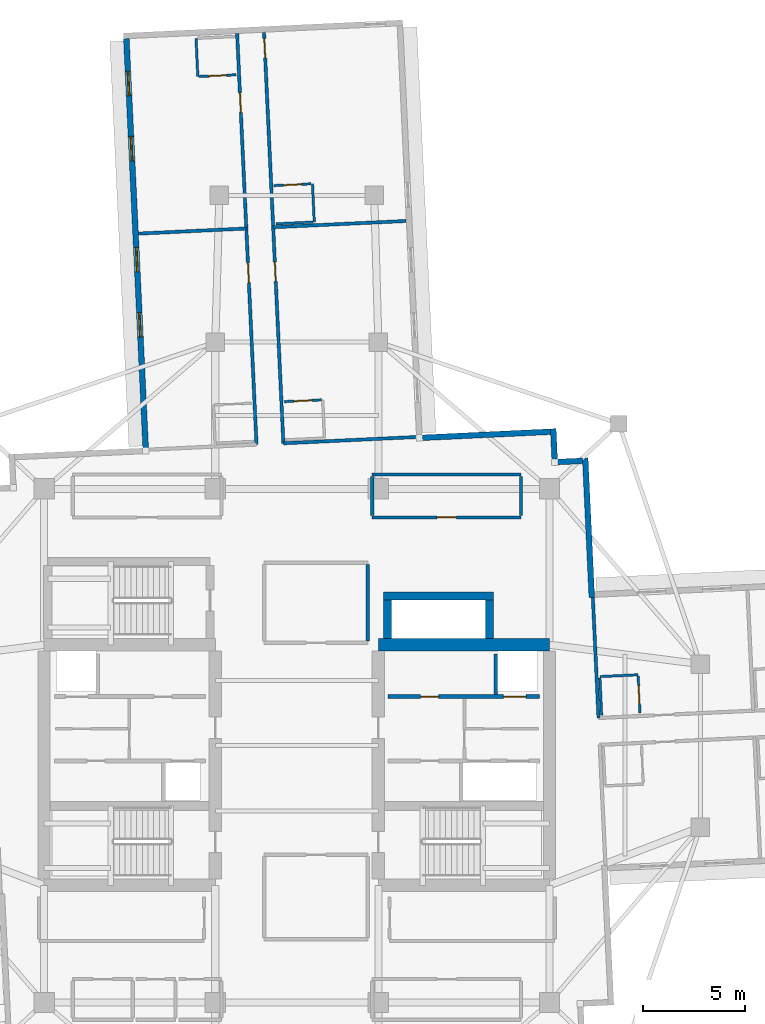
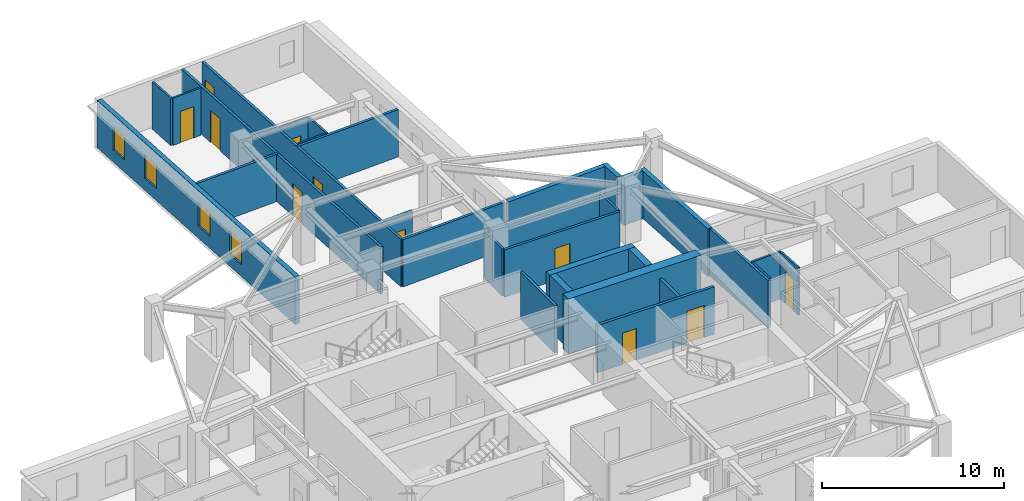
# One storey, part 7 of 12: 31 walls, 11 doors, 4 windows, 15 openings.
"""IFC4 building model written with IfcOpenShell, lengths in metres."""

from ifc_helpers import new_model, si_unit, direction, frame, frame_2d, origin, place, context, subcontext, project, spatial, rectangle, extrude, material, layer, layer_set, type_object, element, fill, save


model = new_model("IFC4")

# Units and contexts
model_context = context("Model", 3, precision=1e-05, world=origin(), true_north=direction((0.0, 1.0)))
body_context = subcontext(model_context, "Body", "Model", "MODEL_VIEW")
ifc_project = project(units=[si_unit("LENGTHUNIT", "METRE"), si_unit("AREAUNIT", "SQUARE_METRE"), si_unit("VOLUMEUNIT", "CUBIC_METRE"), si_unit("PLANEANGLEUNIT", "RADIAN"), si_unit("MASSUNIT", "GRAM", prefix="KILO")], contexts=[model_context])

# Site, building, storey
site_placement = place(None, origin())
site = spatial("IfcSite", under=ifc_project, at=site_placement, CompositionType="ELEMENT")
building_placement = place(site_placement, origin())
building = spatial("IfcBuilding", under=site, at=building_placement, Name="Qingluan Cross Belvedere", CompositionType="ELEMENT")
storey_placement = place(building_placement, frame((0.0, 0.0, 213.0)))
storey = spatial("IfcBuildingStorey", under=building, at=storey_placement, Name="L53", CompositionType="ELEMENT", Elevation=213.0)

# Walls
ifc_material_1 = material(Name="Concrete C50", Category="concrete")
ifc_layer_1 = layer(ifc_material_1, 0.449951171875, Name="CoreShearWall_450")
ifc_layer_set_1 = layer_set([ifc_layer_1], Name="Concrete C50")
wall_type_1 = type_object("IfcWallType", Name="CoreShearWall_450", PredefinedType="SHEAR", material=ifc_layer_set_1)
wall_1_placement = place(storey_placement, frame((4.449951171875, 5.2548828125, 0.0), z_axis=(0.0, 0.0, 1.0), x_axis=(0.0, 1.0, 0.0)))
element("IfcWall", 1, at=wall_1_placement, inside=storey, type_object=wall_type_1, Name="Express shuttle core wall L53-W", PredefinedType="SHEAR", context=body_context, shape_type="SweptSolid", body=[
    extrude(rectangle(XDim=1.885009765625, YDim=0.39990234375, at=frame_2d((0.9423828125, 0.0))), origin(), (0.0, 0.0, 1.0), 3.699951171875),
])
wall_2_placement = place(storey_placement, frame((4.25, 7.35009765625, 0.0), z_axis=(0.0, 0.0, 1.0), x_axis=(1.0, 0.0, 0.0)))
element("IfcWall", 2, at=wall_2_placement, inside=storey, type_object=wall_type_1, Name="Express shuttle core wall L53-N", PredefinedType="SHEAR", context=body_context, shape_type="SweptSolid", body=[
    extrude(rectangle(XDim=5.39990234375, YDim=0.39990234375, at=frame_2d((2.699951171875, 0.0))), origin(), (0.0, 0.0, 1.0), 3.699951171875),
])
wall_3_placement = place(storey_placement, frame((9.449951171875, 5.2548828125, 0.0), z_axis=(0.0, 0.0, 1.0), x_axis=(0.0, 1.0, 0.0)))
element("IfcWall", 3, at=wall_3_placement, inside=storey, type_object=wall_type_1, Name="Express shuttle core wall L53-E", PredefinedType="SHEAR", context=body_context, shape_type="SweptSolid", body=[
    extrude(rectangle(XDim=1.885009765625, YDim=0.39990234375, at=frame_2d((0.9423828125, 0.0))), origin(), (0.0, 0.0, 1.0), 3.699951171875),
])
ifc_material_2 = material(Name="Concrete C60", Category="concrete")
ifc_layer_2 = layer(ifc_material_2, 0.60009765625, Name="CoreShearWall_600")
ifc_layer_set_2 = layer_set([ifc_layer_2], Name="Concrete C60")
wall_type_2 = type_object("IfcWallType", Name="CoreShearWall_600", PredefinedType="SHEAR", material=ifc_layer_set_2)
wall_4_placement = place(storey_placement, frame((4.0, 4.949951171875, 0.0), z_axis=(0.0, 0.0, 1.0), x_axis=(1.0, 0.0, 0.0)))
element("IfcWall", 4, at=wall_4_placement, inside=storey, type_object=wall_type_2, Name="Split core E shear wall L53-N", PredefinedType="SHEAR", context=body_context, shape_type="SweptSolid", body=[
    extrude(rectangle(XDim=8.39990234375, YDim=0.60009765625, at=frame_2d((4.199951171875, 0.0))), origin(), (0.0, 0.0, 1.0), 3.699951171875),
])

# Wall, opening, door
ifc_material_3 = material(Name="Gypsum plasterboard on steel stud acoustic partition", Category="steel")
ifc_layer_3 = layer(ifc_material_3, 0.159912109375, Name="CorridorPartition_160")
ifc_layer_set_3 = layer_set([ifc_layer_3], Name="Gypsum plasterboard on steel stud acoustic partition")
wall_type_3 = type_object("IfcWallType", Name="CorridorPartition_160", PredefinedType="PARTITIONING", material=ifc_layer_set_3)
wall_5_placement = place(storey_placement, frame((3.699951171875, 11.199951171875, 0.0), z_axis=(0.0, 0.0, 1.0), x_axis=(1.0, 0.0, 0.0)))
wall_5 = element("IfcWall", 5, at=wall_5_placement, inside=storey, type_object=wall_type_3, Name="Partition L53:q_ne:S", PredefinedType="PARTITIONING", context=body_context, shape_type="SweptSolid", body=[
    extrude(rectangle(XDim=7.300048828125, YDim=0.159912109375, at=frame_2d((3.64990234375, 0.0))), origin(), (0.0, 0.0, 1.0), 3.169921875),
])
opening_1_placement = place(wall_5_placement, frame((3.169921875, 0.0, 0.0)))
opening_1 = element("IfcOpeningElement", 6, at=opening_1_placement, cuts=wall_5, Name="Opening GD-10", PredefinedType="OPENING", context=body_context, shape_type="SweptSolid", body=[
    extrude(rectangle(XDim=0.9599609375, YDim=2.14990234375, at=frame_2d((0.47998046875, 1.074951171875))), frame((0.0, 0.08984375, 0.0), z_axis=(0.0, -1.0, 0.0), x_axis=(1.0, 0.0, 0.0)), (0.0, 0.0, 1.0), 0.179931640625),
])
ifc_material_4 = material(Name="Timber oak fire-rated acoustic guestroom door", Category="wood")
door_type_1 = type_object("IfcDoorType", Name="GuestEntryDoor_FD60", OperationType="NOTDEFINED", PredefinedType="DOOR", material=ifc_material_4)
door_1_placement = place(opening_1_placement, origin())
door_1 = element("IfcDoor", 7, at=door_1_placement, inside=storey, type_object=door_type_1, Name="Horizon club lounge L53 door", OperationType="SINGLE_SWING_LEFT", OverallHeight=2.14990234375, OverallWidth=0.9599609375, PredefinedType="DOOR", context=body_context, shape_type="SweptSolid", body=[
    extrude(rectangle(XDim=0.9599609375, YDim=2.14990234375, at=frame_2d((0.47998046875, 1.074951171875))), frame((0.0, 0.02490234375, 0.0), z_axis=(0.0, -1.0, 0.0), x_axis=(1.0, 0.0, 0.0)), (0.0, 0.0, 1.0), 0.050048828125),
])
fill(opening_1, door_1)

# Walls
wall_6_placement = place(storey_placement, frame((3.699951171875, 13.300048828125, 0.0), z_axis=(0.0, 0.0, 1.0), x_axis=(1.0, 0.0, 0.0)))
element("IfcWall", 8, at=wall_6_placement, inside=storey, type_object=wall_type_3, Name="Partition L53:q_ne:N", PredefinedType="PARTITIONING", context=body_context, shape_type="SweptSolid", body=[
    extrude(rectangle(XDim=7.300048828125, YDim=0.159912109375, at=frame_2d((3.64990234375, 0.0))), origin(), (0.0, 0.0, 1.0), 3.169921875),
])
for number, where, z_axis, x_axis, name in (
    (9, (3.699951171875, 11.284912109375, 0.0), (0.0, 0.0, 1.0), (0.0, 1.0, 0.0), "Partition L53:q_ne:W"),
    (10, (11.0, 11.284912109375, 0.0), (0.0, 0.0, 1.0), (0.0, 1.0, 0.0), "Partition L53:q_ne:E"),
):
    element("IfcWall", number, at=place(storey_placement, frame(where, z_axis=z_axis, x_axis=x_axis)), inside=storey, type_object=wall_type_3, Name=name, PredefinedType="PARTITIONING", context=body_context, shape_type="SweptSolid", body=[
        extrude(rectangle(XDim=1.93017578125, YDim=0.159912109375, at=frame_2d((0.965087890625, 0.0))), origin(), (0.0, 0.0, 1.0), 3.169921875),
    ])
wall_7_placement = place(storey_placement, frame((3.47998046875, 5.135009765625, 0.0), z_axis=(0.0, 0.0, 1.0), x_axis=(0.0, 1.0, 0.0)))
element("IfcWall", 11, at=wall_7_placement, inside=storey, type_object=wall_type_3, Name="Partition L53:sky_tea_alcove:E", PredefinedType="PARTITIONING", context=body_context, shape_type="SweptSolid", body=[
    extrude(rectangle(XDim=3.760009765625, YDim=0.159912109375, at=frame_2d((1.8798828125, 0.0))), origin(), (0.0, 0.0, 1.0), 3.169921875),
])
wall_8_placement = place(storey_placement, frame((14.802490234375, 1.35888671875, 0.0), z_axis=(0.0, 0.0, 1.0), x_axis=(-0.047117811235, 0.998889339148, 0.0)))
element("IfcWall", 12, at=wall_8_placement, inside=storey, type_object=wall_type_3, Name="Partition L53:E:s0", PredefinedType="PARTITIONING", context=body_context, shape_type="SweptSolid", body=[
    extrude(rectangle(XDim=5.912109375, YDim=0.159912109375, at=frame_2d((2.9560546875, 0.0))), origin(), (0.0, 0.0, 1.0), 3.169921875),
])

# Wall, openings, doors
wall_9_placement = place(storey_placement, frame((-0.65966796875, 14.83544921875, 0.0), z_axis=(0.0, 0.0, 1.0), x_axis=(-0.047093282395, 0.998890495877, 0.0)))
wall_9 = element("IfcWall", 13, at=wall_9_placement, inside=storey, type_object=wall_type_3, Name="Partition L53:N:c0", PredefinedType="PARTITIONING", context=body_context, shape_type="SweptSolid", body=[
    extrude(rectangle(XDim=20.18212890625, YDim=0.159912109375, at=frame_2d((10.091064453125, 0.0))), origin(), (0.0, 0.0, 1.0), 3.169921875),
])
opening_2_placement = place(wall_9_placement, frame((7.949951171875, 0.0, 0.0)))
opening_2 = element("IfcOpeningElement", 14, at=opening_2_placement, cuts=wall_9, Name="Opening GD-10", PredefinedType="OPENING", context=body_context, shape_type="SweptSolid", body=[
    extrude(rectangle(XDim=0.9599609375, YDim=2.14990234375, at=frame_2d((0.47998046875, 1.074951171875))), frame((0.0, 0.08984375, 0.0), z_axis=(0.0, -1.0, 0.0), x_axis=(1.0, 0.0, 0.0)), (0.0, 0.0, 1.0), 0.179931640625),
])
opening_3_placement = place(wall_9_placement, frame((18.929931640625, 0.0, 0.0)))
opening_3 = element("IfcOpeningElement", 15, at=opening_3_placement, cuts=wall_9, Name="Opening GD-10", PredefinedType="OPENING", context=body_context, shape_type="SweptSolid", body=[
    extrude(rectangle(XDim=0.9599609375, YDim=2.14990234375, at=frame_2d((0.47998046875, 1.074951171875))), frame((0.0, 0.08984375, 0.0), z_axis=(0.0, -1.0, 0.0), x_axis=(1.0, 0.0, 0.0)), (0.0, 0.0, 1.0), 0.179931640625),
])
door_2_placement = place(opening_2_placement, origin())
door_2 = element("IfcDoor", 16, at=door_2_placement, inside=storey, type_object=door_type_1, Name="Guest entry fire door 5309", OperationType="SINGLE_SWING_RIGHT", OverallHeight=2.14990234375, OverallWidth=0.9599609375, PredefinedType="DOOR", context=body_context, shape_type="SweptSolid", body=[
    extrude(rectangle(XDim=0.9599609375, YDim=2.14990234375, at=frame_2d((0.47998046875, 1.074951171875))), frame((0.0, 0.02490234375, 0.0), z_axis=(0.0, -1.0, 0.0), x_axis=(1.0, 0.0, 0.0)), (0.0, 0.0, 1.0), 0.050048828125),
])
fill(opening_2, door_2)
door_3_placement = place(opening_3_placement, origin())
door_3 = element("IfcDoor", 17, at=door_3_placement, inside=storey, type_object=door_type_1, Name="Guest entry fire door 5310", OperationType="SINGLE_SWING_RIGHT", OverallHeight=2.14990234375, OverallWidth=0.9599609375, PredefinedType="DOOR", context=body_context, shape_type="SweptSolid", body=[
    extrude(rectangle(XDim=0.9599609375, YDim=2.14990234375, at=frame_2d((0.47998046875, 1.074951171875))), frame((0.0, 0.02490234375, 0.0), z_axis=(0.0, -1.0, 0.0), x_axis=(1.0, 0.0, 0.0)), (0.0, 0.0, 1.0), 0.050048828125),
])
fill(opening_3, door_3)

# Walls
wall_10_placement = place(storey_placement, frame((-0.65966796875, 14.83544921875, 0.0), z_axis=(0.0, 0.0, 1.0), x_axis=(0.998889698238, 0.047110197981, 0.0)))
element("IfcWall", 18, at=wall_10_placement, inside=storey, type_object=wall_type_3, Name="Partition L53:N:s0", PredefinedType="PARTITIONING", context=body_context, shape_type="SweptSolid", body=[
    extrude(rectangle(XDim=6.679931640625, YDim=0.159912109375, at=frame_2d((3.33984375, 0.0))), origin(), (0.0, 0.0, 1.0), 3.169921875),
])
wall_11_placement = place(storey_placement, frame((-1.159423828125, 25.435546875, 0.0), z_axis=(0.0, 0.0, 1.0), x_axis=(0.998888676961, 0.047131847396, 0.0)))
element("IfcWall", 19, at=wall_11_placement, inside=storey, type_object=wall_type_3, Name="Partition L53:N:d0_0", PredefinedType="PARTITIONING", context=body_context, shape_type="SweptSolid", body=[
    extrude(rectangle(XDim=6.531982421875, YDim=0.159912109375, at=frame_2d((3.26611328125, 0.0))), origin(), (0.0, 0.0, 1.0), 3.169921875),
])

# Wall, openings, doors
wall_12_placement = place(storey_placement, frame((-1.97802734375, 14.773193359375, 0.0), z_axis=(0.0, 0.0, 1.0), x_axis=(-0.047105352469, 0.998889926753, 0.0)))
wall_12 = element("IfcWall", 20, at=wall_12_placement, inside=storey, type_object=wall_type_3, Name="Partition L53:N:c1", PredefinedType="PARTITIONING", context=body_context, shape_type="SweptSolid", body=[
    extrude(rectangle(XDim=20.18212890625, YDim=0.159912109375, at=frame_2d((10.091064453125, 0.0))), origin(), (0.0, 0.0, 1.0), 3.169921875),
])
opening_4_placement = place(wall_12_placement, frame((7.949951171875, 0.0, 0.0)))
opening_4 = element("IfcOpeningElement", 21, at=opening_4_placement, cuts=wall_12, Name="Opening GD-10", PredefinedType="OPENING", context=body_context, shape_type="SweptSolid", body=[
    extrude(rectangle(XDim=0.9599609375, YDim=2.14990234375, at=frame_2d((0.47998046875, 1.074951171875))), frame((0.0, 0.08984375, 0.0), z_axis=(0.0, -1.0, 0.0), x_axis=(1.0, 0.0, 0.0)), (0.0, 0.0, 1.0), 0.179931640625),
])
opening_5_placement = place(wall_12_placement, frame((16.31005859375, 0.0, 0.0)))
opening_5 = element("IfcOpeningElement", 22, at=opening_5_placement, cuts=wall_12, Name="Opening GD-10", PredefinedType="OPENING", context=body_context, shape_type="SweptSolid", body=[
    extrude(rectangle(XDim=0.9599609375, YDim=2.14990234375, at=frame_2d((0.47998046875, 1.074951171875))), frame((0.0, 0.08984375, 0.0), z_axis=(0.0, -1.0, 0.0), x_axis=(1.0, 0.0, 0.0)), (0.0, 0.0, 1.0), 0.179931640625),
])
door_4_placement = place(opening_4_placement, origin())
door_4 = element("IfcDoor", 23, at=door_4_placement, inside=storey, type_object=door_type_1, Name="Guest entry fire door 5311", OperationType="SINGLE_SWING_RIGHT", OverallHeight=2.14990234375, OverallWidth=0.9599609375, PredefinedType="DOOR", context=body_context, shape_type="SweptSolid", body=[
    extrude(rectangle(XDim=0.9599609375, YDim=2.14990234375, at=frame_2d((0.47998046875, 1.074951171875))), frame((0.0, 0.02490234375, 0.0), z_axis=(0.0, -1.0, 0.0), x_axis=(1.0, 0.0, 0.0)), (0.0, 0.0, 1.0), 0.050048828125),
])
fill(opening_4, door_4)
door_5_placement = place(opening_5_placement, origin())
door_5 = element("IfcDoor", 24, at=door_5_placement, inside=storey, type_object=door_type_1, Name="Guest entry fire door 5312", OperationType="SINGLE_SWING_RIGHT", OverallHeight=2.14990234375, OverallWidth=0.9599609375, PredefinedType="DOOR", context=body_context, shape_type="SweptSolid", body=[
    extrude(rectangle(XDim=0.9599609375, YDim=2.14990234375, at=frame_2d((0.47998046875, 1.074951171875))), frame((0.0, 0.02490234375, 0.0), z_axis=(0.0, -1.0, 0.0), x_axis=(1.0, 0.0, 0.0)), (0.0, 0.0, 1.0), 0.050048828125),
])
fill(opening_5, door_5)

# Wall
wall_13_placement = place(storey_placement, frame((-2.47802734375, 25.373291015625, 0.0), z_axis=(0.0, 0.0, 1.0), x_axis=(-0.998892223387, -0.047056626079, 0.0)))
element("IfcWall", 25, at=wall_13_placement, inside=storey, type_object=wall_type_3, Name="Partition L53:N:d1_0", PredefinedType="PARTITIONING", context=body_context, shape_type="SweptSolid", body=[
    extrude(rectangle(XDim=5.2919921875, YDim=0.159912109375, at=frame_2d((2.64599609375, 0.0))), origin(), (0.0, 0.0, 1.0), 3.169921875),
])

# Wall, opening, door
ifc_material_5 = material(Name="Moisture-resistant gypsum board lining")
ifc_layer_4 = layer(ifc_material_5, 0.1201171875, Name="EnsuiteWetPartition_120")
ifc_layer_set_4 = layer_set([ifc_layer_4], Name="Moisture-resistant gypsum board lining")
wall_type_4 = type_object("IfcWallType", Name="EnsuiteWetPartition_120", PredefinedType="PARTITIONING", material=ifc_layer_set_4)
wall_14_placement = place(storey_placement, frame((16.83349609375, 1.5947265625, 0.0), z_axis=(0.0, 0.0, 1.0), x_axis=(-0.047087116047, 0.998890786574, 0.0)))
wall_14 = element("IfcWall", 26, at=wall_14_placement, inside=storey, type_object=wall_type_4, Name="Partition L53:E:bs0_0", PredefinedType="PARTITIONING", context=body_context, shape_type="SweptSolid", body=[
    extrude(rectangle(XDim=1.81982421875, YDim=0.1201171875, at=frame_2d((0.909912109375, 0.0))), origin(), (0.0, 0.0, 1.0), 3.169921875),
])
opening_6_placement = place(wall_14_placement, frame((0.469970703125, 0.0, 0.0)))
opening_6 = element("IfcOpeningElement", 27, at=opening_6_placement, cuts=wall_14, Name="Opening BD-09", PredefinedType="OPENING", context=body_context, shape_type="SweptSolid", body=[
    extrude(rectangle(XDim=0.8798828125, YDim=2.10009765625, at=frame_2d((0.43994140625, 1.050048828125))), frame((0.0, 0.070068359375, 0.0), z_axis=(0.0, -1.0, 0.0), x_axis=(1.0, 0.0, 0.0)), (0.0, 0.0, 1.0), 0.14013671875),
])
ifc_material_6 = material(Name="Moisture-sealed timber en-suite door", Category="wood")
door_type_2 = type_object("IfcDoorType", Name="BathroomDoor_880", OperationType="NOTDEFINED", PredefinedType="DOOR", material=ifc_material_6)
door_6_placement = place(opening_6_placement, origin())
door_6 = element("IfcDoor", 28, at=door_6_placement, inside=storey, type_object=door_type_2, Name="Bathroom door 5301", OperationType="SINGLE_SWING_LEFT", OverallHeight=2.10009765625, OverallWidth=0.8798828125, PredefinedType="DOOR", context=body_context, shape_type="SweptSolid", body=[
    extrude(rectangle(XDim=0.8798828125, YDim=2.10009765625, at=frame_2d((0.43994140625, 1.050048828125))), frame((0.0, 0.02490234375, 0.0), z_axis=(0.0, -1.0, 0.0), x_axis=(1.0, 0.0, 0.0)), (0.0, 0.0, 1.0), 0.050048828125),
])
fill(opening_6, door_6)

# Walls
wall_15_placement = place(storey_placement, frame((14.955810546875, 1.506103515625, 0.0), z_axis=(0.0, 0.0, 1.0), x_axis=(-0.047214641863, 0.998884766924, 0.0)))
element("IfcWall", 29, at=wall_15_placement, inside=storey, type_object=wall_type_4, Name="Partition L53:E:bw0_0", PredefinedType="PARTITIONING", context=body_context, shape_type="SweptSolid", body=[
    extrude(rectangle(XDim=1.820068359375, YDim=0.1201171875, at=frame_2d((0.91015625, 0.0))), origin(), (0.0, 0.0, 1.0), 3.169921875),
])
wall_16_placement = place(storey_placement, frame((14.866943359375, 3.38916015625, 0.0), z_axis=(0.0, 0.0, 1.0), x_axis=(0.998894425757, 0.04700985207, 0.0)))
element("IfcWall", 30, at=wall_16_placement, inside=storey, type_object=wall_type_4, Name="Partition L53:E:bn0_0", PredefinedType="PARTITIONING", context=body_context, shape_type="SweptSolid", body=[
    extrude(rectangle(XDim=1.880126953125, YDim=0.1201171875, at=frame_2d((0.93994140625, 0.0))), origin(), (0.0, 0.0, 1.0), 3.169921875),
])

# Wall, opening, door
wall_17_placement = place(storey_placement, frame((-0.61572265625, 16.879638671875, 0.0), z_axis=(0.0, 0.0, 1.0), x_axis=(0.998884467853, 0.047220968666, 0.0)))
wall_17 = element("IfcWall", 31, at=wall_17_placement, inside=storey, type_object=wall_type_4, Name="Partition L53:N:bs0_0", PredefinedType="PARTITIONING", context=body_context, shape_type="SweptSolid", body=[
    extrude(rectangle(XDim=1.81982421875, YDim=0.1201171875, at=frame_2d((0.909912109375, 0.0))), origin(), (0.0, 0.0, 1.0), 3.169921875),
])
opening_7_placement = place(wall_17_placement, frame((0.469970703125, 0.0, 0.0)))
opening_7 = element("IfcOpeningElement", 32, at=opening_7_placement, cuts=wall_17, Name="Opening BD-09", PredefinedType="OPENING", context=body_context, shape_type="SweptSolid", body=[
    extrude(rectangle(XDim=0.8798828125, YDim=2.10009765625, at=frame_2d((0.43994140625, 1.050048828125))), frame((0.0, 0.070068359375, 0.0), z_axis=(0.0, -1.0, 0.0), x_axis=(1.0, 0.0, 0.0)), (0.0, 0.0, 1.0), 0.14013671875),
])
door_7_placement = place(opening_7_placement, origin())
door_7 = element("IfcDoor", 33, at=door_7_placement, inside=storey, type_object=door_type_2, Name="Bathroom door 5309", OperationType="SINGLE_SWING_LEFT", OverallHeight=2.10009765625, OverallWidth=0.8798828125, PredefinedType="DOOR", context=body_context, shape_type="SweptSolid", body=[
    extrude(rectangle(XDim=0.8798828125, YDim=2.10009765625, at=frame_2d((0.43994140625, 1.050048828125))), frame((0.0, 0.02490234375, 0.0), z_axis=(0.0, -1.0, 0.0), x_axis=(1.0, 0.0, 0.0)), (0.0, 0.0, 1.0), 0.050048828125),
])
fill(opening_7, door_7)

wall_18_placement = place(storey_placement, frame((-1.11572265625, 27.47998046875, 0.0), z_axis=(0.0, 0.0, 1.0), x_axis=(0.998891083954, 0.047080807099, 0.0)))
wall_18 = element("IfcWall", 34, at=wall_18_placement, inside=storey, type_object=wall_type_4, Name="Partition L53:N:bs0_1", PredefinedType="PARTITIONING", context=body_context, shape_type="SweptSolid", body=[
    extrude(rectangle(XDim=1.820068359375, YDim=0.1201171875, at=frame_2d((0.91015625, 0.0))), origin(), (0.0, 0.0, 1.0), 3.169921875),
])
opening_8_placement = place(wall_18_placement, frame((0.469970703125, 0.0, 0.0)))
opening_8 = element("IfcOpeningElement", 35, at=opening_8_placement, cuts=wall_18, Name="Opening BD-09", PredefinedType="OPENING", context=body_context, shape_type="SweptSolid", body=[
    extrude(rectangle(XDim=0.8798828125, YDim=2.10009765625, at=frame_2d((0.43994140625, 1.050048828125))), frame((0.0, 0.070068359375, 0.0), z_axis=(0.0, -1.0, 0.0), x_axis=(1.0, 0.0, 0.0)), (0.0, 0.0, 1.0), 0.14013671875),
])
door_8_placement = place(opening_8_placement, origin())
door_8 = element("IfcDoor", 36, at=door_8_placement, inside=storey, type_object=door_type_2, Name="Bathroom door 5310", OperationType="SINGLE_SWING_LEFT", OverallHeight=2.10009765625, OverallWidth=0.8798828125, PredefinedType="DOOR", context=body_context, shape_type="SweptSolid", body=[
    extrude(rectangle(XDim=0.8798828125, YDim=2.10009765625, at=frame_2d((0.43994140625, 1.050048828125))), frame((0.0, 0.02490234375, 0.0), z_axis=(0.0, -1.0, 0.0), x_axis=(1.0, 0.0, 0.0)), (0.0, 0.0, 1.0), 0.050048828125),
])
fill(opening_8, door_8)

# Walls
wall_19_placement = place(storey_placement, frame((-1.027099609375, 25.60205078125, 0.0), z_axis=(0.0, 0.0, 1.0), x_axis=(0.998890786574, 0.047087116047, 0.0)))
element("IfcWall", 37, at=wall_19_placement, inside=storey, type_object=wall_type_4, Name="Partition L53:N:bw0_1", PredefinedType="PARTITIONING", context=body_context, shape_type="SweptSolid", body=[
    extrude(rectangle(XDim=1.81982421875, YDim=0.1201171875, at=frame_2d((0.909912109375, 0.0))), origin(), (0.0, 0.0, 1.0), 3.169921875),
])
wall_20_placement = place(storey_placement, frame((0.855712890625, 25.69091796875, 0.0), z_axis=(0.0, 0.0, 1.0), x_axis=(-0.047145540913, 0.998888030748, 0.0)))
element("IfcWall", 38, at=wall_20_placement, inside=storey, type_object=wall_type_4, Name="Partition L53:N:bn0_1", PredefinedType="PARTITIONING", context=body_context, shape_type="SweptSolid", body=[
    extrude(rectangle(XDim=1.8798828125, YDim=0.1201171875, at=frame_2d((0.93994140625, 0.0))), origin(), (0.0, 0.0, 1.0), 3.169921875),
])

# Wall, opening, door
wall_21_placement = place(storey_placement, frame((-4.7919921875, 32.830810546875, 0.0), z_axis=(0.0, 0.0, 1.0), x_axis=(0.998891083954, 0.047080807099, 0.0)))
wall_21 = element("IfcWall", 39, at=wall_21_placement, inside=storey, type_object=wall_type_4, Name="Partition L53:N:bs1_1", PredefinedType="PARTITIONING", context=body_context, shape_type="SweptSolid", body=[
    extrude(rectangle(XDim=1.820068359375, YDim=0.1201171875, at=frame_2d((0.91015625, 0.0))), origin(), (0.0, 0.0, 1.0), 3.169921875),
])
opening_9_placement = place(wall_21_placement, frame((0.469970703125, 0.0, 0.0)))
opening_9 = element("IfcOpeningElement", 40, at=opening_9_placement, cuts=wall_21, Name="Opening BD-09", PredefinedType="OPENING", context=body_context, shape_type="SweptSolid", body=[
    extrude(rectangle(XDim=0.8798828125, YDim=2.10009765625, at=frame_2d((0.43994140625, 1.050048828125))), frame((0.0, 0.070068359375, 0.0), z_axis=(0.0, -1.0, 0.0), x_axis=(1.0, 0.0, 0.0)), (0.0, 0.0, 1.0), 0.14013671875),
])
door_9_placement = place(opening_9_placement, origin())
door_9 = element("IfcDoor", 41, at=door_9_placement, inside=storey, type_object=door_type_2, Name="Bathroom door 5312", OperationType="SINGLE_SWING_LEFT", OverallHeight=2.10009765625, OverallWidth=0.8798828125, PredefinedType="DOOR", context=body_context, shape_type="SweptSolid", body=[
    extrude(rectangle(XDim=0.8798828125, YDim=2.10009765625, at=frame_2d((0.43994140625, 1.050048828125))), frame((0.0, 0.02490234375, 0.0), z_axis=(0.0, -1.0, 0.0), x_axis=(1.0, 0.0, 0.0)), (0.0, 0.0, 1.0), 0.050048828125),
])
fill(opening_9, door_9)

# Wall
wall_22_placement = place(storey_placement, frame((-4.856689453125, 32.82763671875, 0.0), z_axis=(0.0, 0.0, 1.0), x_axis=(-0.047139425368, 0.998888319371, 0.0)))
element("IfcWall", 42, at=wall_22_placement, inside=storey, type_object=wall_type_4, Name="Partition L53:N:bc1_1", PredefinedType="PARTITIONING", context=body_context, shape_type="SweptSolid", body=[
    extrude(rectangle(XDim=1.880126953125, YDim=0.1201171875, at=frame_2d((0.93994140625, 0.0))), origin(), (0.0, 0.0, 1.0), 3.169921875),
])

# Wall, openings, windows
ifc_material_7 = material(Name="Precast concrete C45", Category="concrete")
ifc_layer_5 = layer(ifc_material_7, 0.280029296875, Name="PrecastFacadeWall_280")
ifc_layer_set_5 = layer_set([ifc_layer_5], Name="Precast concrete C45")
wall_type_5 = type_object("IfcWallType", Name="PrecastFacadeWall_280", PredefinedType="STANDARD", material=ifc_layer_set_5)
wall_23_placement = place(storey_placement, frame((-8.363037109375, 34.6845703125, 0.0), z_axis=(0.0, 0.0, 1.0), x_axis=(0.047103473814, -0.998890015344, 0.0)))
wall_23 = element("IfcWall", 43, at=wall_23_placement, inside=storey, type_object=wall_type_5, Name="Facade wall L53-NB", PredefinedType="STANDARD", context=body_context, shape_type="SweptSolid", body=[
    extrude(rectangle(XDim=20.099853515625, YDim=0.280029296875, at=frame_2d((10.0498046875, 0.0))), origin(), (0.0, 0.0, 1.0), 3.179931640625),
])
opening_10_placement = place(wall_23_placement, frame((1.60009765625, 0.0, 0.800048828125)))
opening_10 = element("IfcOpeningElement", 44, at=opening_10_placement, cuts=wall_23, Name="Opening W-02", PredefinedType="OPENING", context=body_context, shape_type="SweptSolid", body=[
    extrude(rectangle(XDim=1.199951171875, YDim=1.60009765625, at=frame_2d((0.60009765625, 0.800048828125))), frame((0.0, 0.14990234375, 0.0), z_axis=(0.0, -1.0, 0.0), x_axis=(1.0, 0.0, 0.0)), (0.0, 0.0, 1.0), 0.300048828125),
])
opening_11_placement = place(wall_23_placement, frame((4.800048828125, 0.0, 0.800048828125)))
opening_11 = element("IfcOpeningElement", 45, at=opening_11_placement, cuts=wall_23, Name="Opening W-02", PredefinedType="OPENING", context=body_context, shape_type="SweptSolid", body=[
    extrude(rectangle(XDim=1.199951171875, YDim=1.60009765625, at=frame_2d((0.60009765625, 0.800048828125))), frame((0.0, 0.14990234375, 0.0), z_axis=(0.0, -1.0, 0.0), x_axis=(1.0, 0.0, 0.0)), (0.0, 0.0, 1.0), 0.300048828125),
])
opening_12_placement = place(wall_23_placement, frame((10.25, 0.0, 0.800048828125)))
opening_12 = element("IfcOpeningElement", 46, at=opening_12_placement, cuts=wall_23, Name="Opening W-02", PredefinedType="OPENING", context=body_context, shape_type="SweptSolid", body=[
    extrude(rectangle(XDim=1.199951171875, YDim=1.60009765625, at=frame_2d((0.60009765625, 0.800048828125))), frame((0.0, 0.14990234375, 0.0), z_axis=(0.0, -1.0, 0.0), x_axis=(1.0, 0.0, 0.0)), (0.0, 0.0, 1.0), 0.300048828125),
])
opening_13_placement = place(wall_23_placement, frame((13.449951171875, 0.0, 0.800048828125)))
opening_13 = element("IfcOpeningElement", 47, at=opening_13_placement, cuts=wall_23, Name="Opening W-02", PredefinedType="OPENING", context=body_context, shape_type="SweptSolid", body=[
    extrude(rectangle(XDim=1.199951171875, YDim=1.60009765625, at=frame_2d((0.60009765625, 0.800048828125))), frame((0.0, 0.14990234375, 0.0), z_axis=(0.0, -1.0, 0.0), x_axis=(1.0, 0.0, 0.0)), (0.0, 0.0, 1.0), 0.300048828125),
])
ifc_material_8 = material(Name="Thermally broken triple Low-E glass in aluminium frame", Category="aluminium")
window_type = type_object("IfcWindowType", Name="TriRibbonWin_1200x1600", PartitioningType="SINGLE_PANEL", PredefinedType="WINDOW", material=ifc_material_8)
window_1_placement = place(opening_10_placement, origin())
window_1 = element("IfcWindow", 48, at=window_1_placement, inside=storey, type_object=window_type, Name="Ribbon window L53-NB-1", OverallHeight=1.60009765625, OverallWidth=1.199951171875, PartitioningType="SINGLE_PANEL", PredefinedType="WINDOW", context=body_context, shape_type="SweptSolid", body=[
    extrude(rectangle(XDim=1.199951171875, YDim=1.60009765625, at=frame_2d((0.60009765625, 0.800048828125))), frame((0.0, 0.030029296875, 0.0), z_axis=(0.0, -1.0, 0.0), x_axis=(1.0, 0.0, 0.0)), (0.0, 0.0, 1.0), 0.06005859375),
])
fill(opening_10, window_1)
window_2_placement = place(opening_11_placement, origin())
window_2 = element("IfcWindow", 49, at=window_2_placement, inside=storey, type_object=window_type, Name="Ribbon window L53-NB-2", OverallHeight=1.60009765625, OverallWidth=1.199951171875, PartitioningType="SINGLE_PANEL", PredefinedType="WINDOW", context=body_context, shape_type="SweptSolid", body=[
    extrude(rectangle(XDim=1.199951171875, YDim=1.60009765625, at=frame_2d((0.60009765625, 0.800048828125))), frame((0.0, 0.030029296875, 0.0), z_axis=(0.0, -1.0, 0.0), x_axis=(1.0, 0.0, 0.0)), (0.0, 0.0, 1.0), 0.06005859375),
])
fill(opening_11, window_2)
window_3_placement = place(opening_12_placement, origin())
window_3 = element("IfcWindow", 50, at=window_3_placement, inside=storey, type_object=window_type, Name="Ribbon window L53-NB-3", OverallHeight=1.60009765625, OverallWidth=1.199951171875, PartitioningType="SINGLE_PANEL", PredefinedType="WINDOW", context=body_context, shape_type="SweptSolid", body=[
    extrude(rectangle(XDim=1.199951171875, YDim=1.60009765625, at=frame_2d((0.60009765625, 0.800048828125))), frame((0.0, 0.030029296875, 0.0), z_axis=(0.0, -1.0, 0.0), x_axis=(1.0, 0.0, 0.0)), (0.0, 0.0, 1.0), 0.06005859375),
])
fill(opening_12, window_3)
window_4_placement = place(opening_13_placement, origin())
window_4 = element("IfcWindow", 51, at=window_4_placement, inside=storey, type_object=window_type, Name="Ribbon window L53-NB-4", OverallHeight=1.60009765625, OverallWidth=1.199951171875, PartitioningType="SINGLE_PANEL", PredefinedType="WINDOW", context=body_context, shape_type="SweptSolid", body=[
    extrude(rectangle(XDim=1.199951171875, YDim=1.60009765625, at=frame_2d((0.60009765625, 0.800048828125))), frame((0.0, 0.030029296875, 0.0), z_axis=(0.0, -1.0, 0.0), x_axis=(1.0, 0.0, 0.0)), (0.0, 0.0, 1.0), 0.06005859375),
])
fill(opening_13, window_4)

# Walls
wall_24_placement = place(storey_placement, frame((14.4736328125, 7.27001953125, 0.0), z_axis=(0.0, 0.0, 1.0), x_axis=(-0.04712043756, 0.998889215261, 0.0)))
element("IfcWall", 52, at=wall_24_placement, inside=storey, type_object=wall_type_5, Name="Corner wall L53-NE1", PredefinedType="STANDARD", context=body_context, shape_type="SweptSolid", body=[
    extrude(rectangle(XDim=6.85986328125, YDim=0.280029296875, at=frame_2d((3.429931640625, 0.0))), origin(), (0.0, 0.0, 1.0), 3.179931640625),
])
wall_25_placement = place(storey_placement, frame((14.01708984375, 13.975830078125, 0.0), z_axis=(0.0, 0.0, 1.0), x_axis=(-0.998883930236, -0.047232339719, 0.0)))
element("IfcWall", 53, at=wall_25_placement, inside=storey, type_object=wall_type_5, Name="Corner wall L53-NE2", PredefinedType="STANDARD", context=body_context, shape_type="SweptSolid", body=[
    extrude(rectangle(XDim=1.219970703125, YDim=0.280029296875, at=frame_2d((0.60986328125, 0.0))), origin(), (0.0, 0.0, 1.0), 3.179931640625),
])
wall_26_placement = place(storey_placement, frame((12.652099609375, 14.051513671875, 0.0), z_axis=(0.0, 0.0, 1.0), x_axis=(-0.047039284441, 0.99889304018, 0.0)))
element("IfcWall", 54, at=wall_26_placement, inside=storey, type_object=wall_type_5, Name="Corner wall L53-NE3", PredefinedType="STANDARD", context=body_context, shape_type="SweptSolid", body=[
    extrude(rectangle(XDim=1.5, YDim=0.280029296875, at=frame_2d((0.75, 0.0))), origin(), (0.0, 0.0, 1.0), 3.179931640625),
])
wall_27_placement = place(storey_placement, frame((12.4482421875, 15.403564453125, 0.0), z_axis=(0.0, 0.0, 1.0), x_axis=(-0.998889082162, -0.047123258997, 0.0)))
element("IfcWall", 55, at=wall_27_placement, inside=storey, type_object=wall_type_5, Name="Corner wall L53-NE4", PredefinedType="STANDARD", context=body_context, shape_type="SweptSolid", body=[
    extrude(rectangle(XDim=6.300048828125, YDim=0.280029296875, at=frame_2d((3.14990234375, 0.0))), origin(), (0.0, 0.0, 1.0), 3.179931640625),
])

# Wall, openings, doors
ifc_material_9 = material(Name="Concrete C40", Category="concrete")
ifc_layer_6 = layer(ifc_material_9, 0.219970703125, Name="ShaftEnclosureWall_250")
ifc_layer_set_6 = layer_set([ifc_layer_6], Name="Concrete C40")
wall_type_6 = type_object("IfcWallType", Name="ShaftEnclosureWall_250", PredefinedType="SOLIDWALL", material=ifc_layer_set_6)
wall_28_placement = place(storey_placement, frame((4.47998046875, 2.409912109375, 0.0), z_axis=(0.0, 0.0, 1.0), x_axis=(1.0, 0.0, 0.0)))
wall_28 = element("IfcWall", 56, at=wall_28_placement, inside=storey, type_object=wall_type_6, Name="Core-E north hoistway wall L53", PredefinedType="SOLIDWALL", context=body_context, shape_type="SweptSolid", body=[
    extrude(rectangle(XDim=7.419921875, YDim=0.179931640625, at=frame_2d((3.7099609375, 0.0))), origin(), (0.0, 0.0, 1.0), 3.169921875),
])
opening_14_placement = place(wall_28_placement, frame((5.669921875, 0.0, 0.0)))
opening_14 = element("IfcOpeningElement", 57, at=opening_14_placement, cuts=wall_28, Name="Opening LD-11", PredefinedType="OPENING", context=body_context, shape_type="SweptSolid", body=[
    extrude(rectangle(XDim=1.10009765625, YDim=2.14990234375, at=frame_2d((0.550048828125, 1.074951171875))), frame((0.0, 0.099853515625, 0.0), z_axis=(0.0, -1.0, 0.0), x_axis=(1.0, 0.0, 0.0)), (0.0, 0.0, 1.0), 0.199951171875),
])
opening_15_placement = place(wall_28_placement, frame((1.60009765625, 0.0, 0.0)))
opening_15 = element("IfcOpeningElement", 58, at=opening_15_placement, cuts=wall_28, Name="Opening FD-B10", PredefinedType="OPENING", context=body_context, shape_type="SweptSolid", body=[
    extrude(rectangle(XDim=0.8798828125, YDim=2.10009765625, at=frame_2d((0.43994140625, 1.050048828125))), frame((0.0, 0.099853515625, 0.0), z_axis=(0.0, -1.0, 0.0), x_axis=(1.0, 0.0, 0.0)), (0.0, 0.0, 1.0), 0.199951171875),
])
ifc_material_10 = material(Name="Brushed stainless steel centre-opening lift landing door", Category="steel")
door_type_3 = type_object("IfcDoorType", Name="LiftLandingSlidingDoor_1100", OperationType="DOUBLE_DOOR_SLIDING", PredefinedType="DOOR", material=ifc_material_10)
door_10_placement = place(opening_14_placement, origin())
door_10 = element("IfcDoor", 59, at=door_10_placement, inside=storey, type_object=door_type_3, Name="Lift landing sliding door FL2 L53", OperationType="DOUBLE_DOOR_SLIDING", OverallHeight=2.14990234375, OverallWidth=1.10009765625, PredefinedType="DOOR", context=body_context, shape_type="SweptSolid", body=[
    extrude(rectangle(XDim=1.10009765625, YDim=2.14990234375, at=frame_2d((0.550048828125, 1.074951171875))), frame((0.0, 0.02490234375, 0.0), z_axis=(0.0, -1.0, 0.0), x_axis=(1.0, 0.0, 0.0)), (0.0, 0.0, 1.0), 0.050048828125),
])
fill(opening_14, door_10)
ifc_material_11 = material(Name="Steel Class B service fire door", Category="steel")
door_type_4 = type_object("IfcDoorType", Name="RiserServiceFireDoor_FDB", OperationType="NOTDEFINED", PredefinedType="DOOR", material=ifc_material_11)
door_11_placement = place(opening_15_placement, origin())
door_11 = element("IfcDoor", 60, at=door_11_placement, inside=storey, type_object=door_type_4, Name="Pantry room door E L53", OperationType="SINGLE_SWING_LEFT", OverallHeight=2.10009765625, OverallWidth=0.8798828125, PredefinedType="DOOR", context=body_context, shape_type="SweptSolid", body=[
    extrude(rectangle(XDim=0.8798828125, YDim=2.10009765625, at=frame_2d((0.43994140625, 1.050048828125))), frame((0.0, 0.02490234375, 0.0), z_axis=(0.0, -1.0, 0.0), x_axis=(1.0, 0.0, 0.0)), (0.0, 0.0, 1.0), 0.050048828125),
])
fill(opening_15, door_11)

# Wall
wall_29_placement = place(storey_placement, frame((9.760009765625, 2.5, 0.0), z_axis=(0.0, 0.0, 1.0), x_axis=(0.0, 1.0, 0.0)))
element("IfcWall", 61, at=wall_29_placement, inside=storey, type_object=wall_type_6, Name="Hoistway enclosure divider FL2W L53", PredefinedType="SOLIDWALL", context=body_context, shape_type="SweptSolid", body=[
    extrude(rectangle(XDim=1.989990234375, YDim=0.179931640625, at=frame_2d((0.9951171875, 0.0))), origin(), (0.0, 0.0, 1.0), 3.169921875),
])

save(model, "model.ifc")
